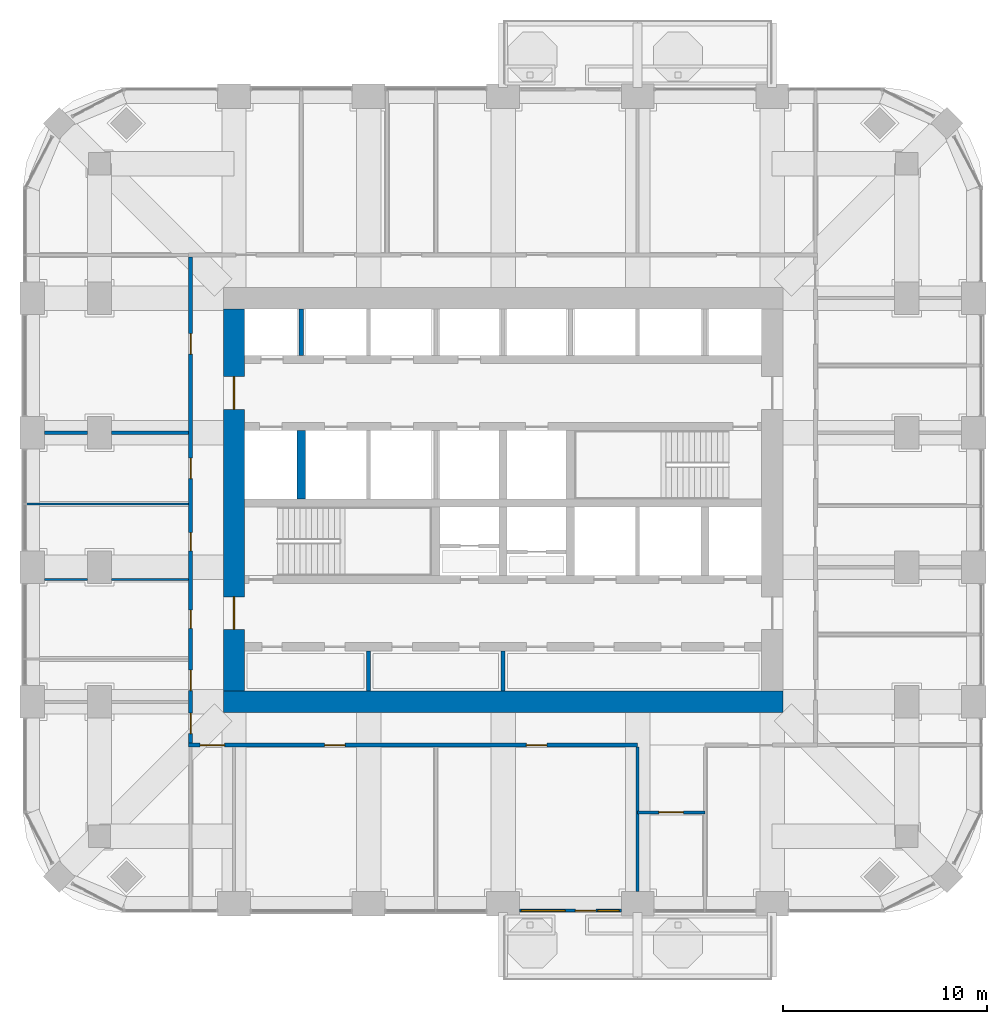
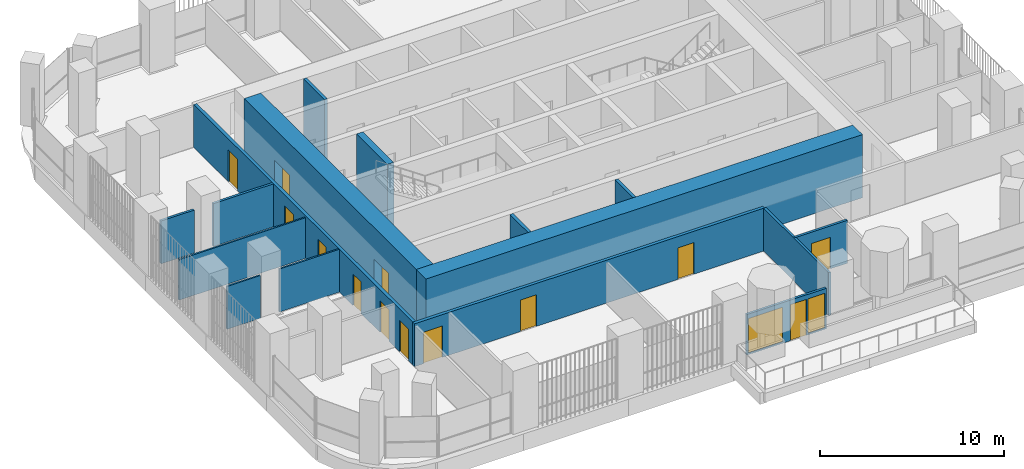
# One storey, part 13 of 20: 16 walls, 13 doors, 2 windows, 15 openings.
"""IFC4 building model written with IfcOpenShell, lengths in metres."""

from ifc_helpers import new_model, si_unit, direction, frame, frame_2d, origin, place, context, subcontext, project, spatial, rectangle, extrude, material, layer, layer_set, type_object, element, fill, save


model = new_model("IFC4")

# Units and contexts
model_context = context("Model", 3, precision=1e-05, world=origin(), true_north=direction((0.0, 1.0)))
body_context = subcontext(model_context, "Body", "Model", "MODEL_VIEW")
ifc_project = project(units=[si_unit("LENGTHUNIT", "METRE"), si_unit("AREAUNIT", "SQUARE_METRE"), si_unit("VOLUMEUNIT", "CUBIC_METRE"), si_unit("PLANEANGLEUNIT", "RADIAN"), si_unit("MASSUNIT", "GRAM", prefix="KILO")], contexts=[model_context])

# Site, building, storey
site_placement = place(None, origin())
site = spatial("IfcSite", under=ifc_project, at=site_placement, CompositionType="ELEMENT")
building_placement = place(site_placement, origin())
building = spatial("IfcBuilding", under=site, at=building_placement, Name="Cobogo Forest Laboratory Tower", CompositionType="ELEMENT")
storey_placement = place(building_placement, frame((0.0, 0.0, 180.89990234375)))
storey = spatial("IfcBuildingStorey", under=building, at=storey_placement, Name="L41", CompositionType="ELEMENT", Elevation=180.89990234375)

# Walls
ifc_material_1 = material(Name="Concrete HA-50 (C50/60)", Category="concrete")
ifc_layer_1 = layer(ifc_material_1, 0.39990234375)
ifc_layer_set_1 = layer_set([ifc_layer_1], Name="CI400 core inner wall 400")
wall_type_1 = type_object("IfcWallType", Name="CI400 core inner wall 400", PredefinedType="SHEAR", material=ifc_layer_set_1)
wall_1_placement = place(storey_placement, frame((16.5, 23.14990234375, 0.0), z_axis=(0.0, 0.0, 1.0), x_axis=(0.0, 1.0, 0.0)))
element("IfcWall", 1, at=wall_1_placement, inside=storey, type_object=wall_type_1, Name="Core wall CX-16.5 L41", PredefinedType="SHEAR", context=body_context, shape_type="SweptSolid", body=[
    extrude(rectangle(XDim=3.35009765625, YDim=0.39990234375, at=frame_2d((1.675048828125, 0.0))), origin(), (0.0, 0.0, 1.0), 4.2001953125),
])
ifc_layer_2 = layer(ifc_material_1, 1.050048828125)
ifc_layer_set_2 = layer_set([ifc_layer_2], Name="CW1050 core outer wall 1050")
wall_type_2 = type_object("IfcWallType", Name="CW1050 core outer wall 1050", PredefinedType="SHEAR", material=ifc_layer_set_2)
wall_2_placement = place(storey_placement, frame((12.675048828125, 13.199951171875, 0.0), z_axis=(0.0, 0.0, 1.0), x_axis=(1.0, 0.0, 0.0)))
element("IfcWall", 2, at=wall_2_placement, inside=storey, type_object=wall_type_2, Name="Core wall CO-S L41", PredefinedType="SHEAR", context=body_context, shape_type="SweptSolid", body=[
    extrude(rectangle(XDim=27.449951171875, YDim=1.050048828125, at=frame_2d((13.72509765625, 0.0))), origin(), (0.0, 0.0, 1.0), 4.2001953125),
])

# Wall, openings, doors
wall_3_placement = place(storey_placement, frame((13.199951171875, 32.47509765625, 0.0), z_axis=(0.0, 0.0, 1.0), x_axis=(0.0, -1.0, 0.0)))
wall_3 = element("IfcWall", 3, at=wall_3_placement, inside=storey, type_object=wall_type_2, Name="Core wall CO-W L41", PredefinedType="SHEAR", context=body_context, shape_type="SweptSolid", body=[
    extrude(rectangle(XDim=18.75, YDim=1.050048828125, at=frame_2d((9.375, 0.0))), origin(), (0.0, 0.0, 1.0), 4.2001953125),
])
opening_1_placement = place(wall_3_placement, frame((14.125, 0.0, 0.0)))
opening_1 = element("IfcOpeningElement", 4, at=opening_1_placement, cuts=wall_3, Name="Opening L41-D19", PredefinedType="OPENING", context=body_context, shape_type="SweptSolid", body=[
    extrude(rectangle(XDim=1.60009765625, YDim=2.10009765625, at=frame_2d((0.800048828125, 1.050048828125))), frame((0.0, 0.534912109375, 0.0), z_axis=(0.0, -1.0, 0.0), x_axis=(1.0, 0.0, 0.0)), (0.0, 0.0, 1.0), 1.070068359375),
])
opening_2_placement = place(wall_3_placement, frame((3.324951171875, 0.0, 0.0)))
opening_2 = element("IfcOpeningElement", 5, at=opening_2_placement, cuts=wall_3, Name="Opening L41-D33", PredefinedType="OPENING", context=body_context, shape_type="SweptSolid", body=[
    extrude(rectangle(XDim=1.60009765625, YDim=2.10009765625, at=frame_2d((0.800048828125, 1.050048828125))), frame((0.0, 0.534912109375, 0.0), z_axis=(0.0, -1.0, 0.0), x_axis=(1.0, 0.0, 0.0)), (0.0, 0.0, 1.0), 1.070068359375),
])
ifc_material_2 = material(Name="Steel fire door", Category="steel")
door_type_1 = type_object("IfcDoorType", Name="DS2 protected lobby door pair 1600 EI2 60", OperationType="DOUBLE_DOOR_DOUBLE_SWING", PredefinedType="DOOR", material=ifc_material_2)
door_1_placement = place(opening_1_placement, origin())
door_1 = element("IfcDoor", 6, at=door_1_placement, inside=storey, type_object=door_type_1, Name="Door L41-CO-W-S", OperationType="DOUBLE_DOOR_DOUBLE_SWING", OverallHeight=2.10009765625, OverallWidth=1.60009765625, PredefinedType="DOOR", context=body_context, shape_type="SweptSolid", body=[
    extrude(rectangle(XDim=1.60009765625, YDim=2.10009765625, at=frame_2d((0.800048828125, 1.050048828125))), frame((0.0, 0.02490234375, 0.0), z_axis=(0.0, -1.0, 0.0), x_axis=(1.0, 0.0, 0.0)), (0.0, 0.0, 1.0), 0.050048828125),
])
fill(opening_1, door_1)
door_2_placement = place(opening_2_placement, origin())
door_2 = element("IfcDoor", 7, at=door_2_placement, inside=storey, type_object=door_type_1, Name="Door L41-CO-W-N", OperationType="DOUBLE_DOOR_DOUBLE_SWING", OverallHeight=2.10009765625, OverallWidth=1.60009765625, PredefinedType="DOOR", context=body_context, shape_type="SweptSolid", body=[
    extrude(rectangle(XDim=1.60009765625, YDim=2.10009765625, at=frame_2d((0.800048828125, 1.050048828125))), frame((0.0, 0.02490234375, 0.0), z_axis=(0.0, -1.0, 0.0), x_axis=(1.0, 0.0, 0.0)), (0.0, 0.0, 1.0), 0.050048828125),
])
fill(opening_2, door_2)

# Wall, openings, door, windows
ifc_material_3 = material(Name="Aluminium framed glazed screen", Category="aluminium")
ifc_layer_3 = layer(ifc_material_3, 0.14990234375)
ifc_layer_set_3 = layer_set([ifc_layer_3], Name="GS1 glazed door screen 150")
wall_type_3 = type_object("IfcWallType", Name="GS1 glazed door screen 150", PredefinedType="SOLIDWALL", material=ifc_layer_set_3)
wall_4_placement = place(storey_placement, frame((27.199951171875, 2.949951171875, 0.0), z_axis=(0.0, 0.0, 1.0), x_axis=(1.0, 0.0, 0.0)))
wall_4 = element("IfcWall", 8, at=wall_4_placement, inside=storey, type_object=wall_type_3, Name="Door screen BAL-S1 L41", PredefinedType="SOLIDWALL", context=body_context, shape_type="SweptSolid", body=[
    extrude(rectangle(XDim=5.0, YDim=0.14990234375, at=frame_2d((2.5, 0.0))), origin(), (0.0, 0.0, 1.0), 2.7001953125),
])
opening_3_placement = place(wall_4_placement, frame((2.75, 0.0, 0.0)))
opening_3 = element("IfcOpeningElement", 9, at=opening_3_placement, cuts=wall_4, Name="Opening L41-D01", PredefinedType="OPENING", context=body_context, shape_type="SweptSolid", body=[
    extrude(rectangle(XDim=1.0, YDim=2.39990234375, at=frame_2d((0.5, 1.199951171875))), frame((0.0, 0.0849609375, 0.0), z_axis=(0.0, -1.0, 0.0), x_axis=(1.0, 0.0, 0.0)), (0.0, 0.0, 1.0), 0.169921875),
])
opening_4_placement = place(wall_4_placement, frame((0.10009765625, 0.0, 0.10009765625)))
opening_4 = element("IfcOpeningElement", 10, at=opening_4_placement, cuts=wall_4, Name="Opening L41-W01", PredefinedType="OPENING", context=body_context, shape_type="SweptSolid", body=[
    extrude(rectangle(XDim=2.14990234375, YDim=2.300048828125, at=frame_2d((1.074951171875, 1.14990234375))), frame((0.0, 0.0849609375, 0.0), z_axis=(0.0, -1.0, 0.0), x_axis=(1.0, 0.0, 0.0)), (0.0, 0.0, 1.0), 0.169921875),
])
opening_5_placement = place(wall_4_placement, frame((3.85009765625, 0.0, 0.10009765625)))
opening_5 = element("IfcOpeningElement", 11, at=opening_5_placement, cuts=wall_4, Name="Opening L41-W02", PredefinedType="OPENING", context=body_context, shape_type="SweptSolid", body=[
    extrude(rectangle(XDim=1.050048828125, YDim=2.300048828125, at=frame_2d((0.52490234375, 1.14990234375))), frame((0.0, 0.0849609375, 0.0), z_axis=(0.0, -1.0, 0.0), x_axis=(1.0, 0.0, 0.0)), (0.0, 0.0, 1.0), 0.169921875),
])
ifc_material_4 = material(Name="Aluminium glazed door", Category="aluminium")
door_type_2 = type_object("IfcDoorType", Name="DB1 balcony door 1000 glazed", OperationType="SINGLE_SWING_LEFT", PredefinedType="DOOR", material=ifc_material_4)
door_3_placement = place(opening_3_placement, origin())
door_3 = element("IfcDoor", 12, at=door_3_placement, inside=storey, type_object=door_type_2, Name="Door L41-BAL-S1", OperationType="SINGLE_SWING_RIGHT", OverallHeight=2.39990234375, OverallWidth=1.0, PredefinedType="DOOR", context=body_context, shape_type="SweptSolid", body=[
    extrude(rectangle(XDim=1.0, YDim=2.39990234375, at=frame_2d((0.5, 1.199951171875))), frame((0.0, 0.02490234375, 0.0), z_axis=(0.0, -1.0, 0.0), x_axis=(1.0, 0.0, 0.0)), (0.0, 0.0, 1.0), 0.050048828125),
])
fill(opening_3, door_3)
ifc_material_5 = material(Name="Aluminium framed glazing", Category="aluminium")
window_type_1 = type_object("IfcWindowType", Name="WG13 fixed glazed light 2150x2300", PartitioningType="SINGLE_PANEL", PredefinedType="WINDOW", material=ifc_material_5)
window_1_placement = place(opening_4_placement, origin())
window_1 = element("IfcWindow", 13, at=window_1_placement, inside=storey, type_object=window_type_1, Name="Window L41-BAL-S1-1", OverallHeight=2.300048828125, OverallWidth=2.14990234375, PartitioningType="SINGLE_PANEL", PredefinedType="WINDOW", context=body_context, shape_type="SweptSolid", body=[
    extrude(rectangle(XDim=2.14990234375, YDim=2.300048828125, at=frame_2d((1.074951171875, 1.14990234375))), frame((0.0, 0.030029296875, 0.0), z_axis=(0.0, -1.0, 0.0), x_axis=(1.0, 0.0, 0.0)), (0.0, 0.0, 1.0), 0.06005859375),
])
fill(opening_4, window_1)
window_type_2 = type_object("IfcWindowType", Name="WG14 fixed glazed light 1050x2300", PartitioningType="SINGLE_PANEL", PredefinedType="WINDOW", material=ifc_material_5)
window_2_placement = place(opening_5_placement, origin())
window_2 = element("IfcWindow", 14, at=window_2_placement, inside=storey, type_object=window_type_2, Name="Window L41-BAL-S1-2", OverallHeight=2.300048828125, OverallWidth=1.050048828125, PartitioningType="SINGLE_PANEL", PredefinedType="WINDOW", context=body_context, shape_type="SweptSolid", body=[
    extrude(rectangle(XDim=1.050048828125, YDim=2.300048828125, at=frame_2d((0.52490234375, 1.14990234375))), frame((0.0, 0.030029296875, 0.0), z_axis=(0.0, -1.0, 0.0), x_axis=(1.0, 0.0, 0.0)), (0.0, 0.0, 1.0), 0.06005859375),
])
fill(opening_5, window_2)

# Wall, opening, door
ifc_material_6 = material(Name="Gypsum board on steel studs", Category="steel")
ifc_layer_4 = layer(ifc_material_6, 0.14990234375)
ifc_layer_set_4 = layer_set([ifc_layer_4], Name="PT1 laboratory partition 150")
wall_type_4 = type_object("IfcWallType", Name="PT1 laboratory partition 150", PredefinedType="PARTITIONING", material=ifc_layer_set_4)
wall_5_placement = place(storey_placement, frame((33.0, 7.77490234375, 0.0), z_axis=(0.0, 0.0, 1.0), x_axis=(1.0, 0.0, 0.0)))
wall_5 = element("IfcWall", 15, at=wall_5_placement, inside=storey, type_object=wall_type_4, Name="Partition NODE-S-1 L41", PredefinedType="PARTITIONING", context=body_context, shape_type="SweptSolid", body=[
    extrude(rectangle(XDim=3.300048828125, YDim=0.14990234375, at=frame_2d((1.64990234375, 0.0))), origin(), (0.0, 0.0, 1.0), 2.85009765625),
])
opening_6_placement = place(wall_5_placement, frame((1.050048828125, 0.0, 0.0)))
opening_6 = element("IfcOpeningElement", 16, at=opening_6_placement, cuts=wall_5, Name="Opening L41-D02", PredefinedType="OPENING", context=body_context, shape_type="SweptSolid", body=[
    extrude(rectangle(XDim=1.199951171875, YDim=2.10009765625, at=frame_2d((0.60009765625, 1.050048828125))), frame((0.0, 0.0849609375, 0.0), z_axis=(0.0, -1.0, 0.0), x_axis=(1.0, 0.0, 0.0)), (0.0, 0.0, 1.0), 0.169921875),
])
ifc_material_7 = material(Name="Timber door", Category="wood")
door_type_3 = type_object("IfcDoorType", Name="D2 laboratory door 1200 unequal pair", OperationType="DOUBLE_DOOR_SINGLE_SWING", PredefinedType="DOOR", material=ifc_material_7)
door_4_placement = place(opening_6_placement, origin())
door_4 = element("IfcDoor", 17, at=door_4_placement, inside=storey, type_object=door_type_3, Name="Door L41-S4", OperationType="DOUBLE_DOOR_SINGLE_SWING", OverallHeight=2.10009765625, OverallWidth=1.199951171875, PredefinedType="DOOR", context=body_context, shape_type="SweptSolid", body=[
    extrude(rectangle(XDim=1.199951171875, YDim=2.10009765625, at=frame_2d((0.60009765625, 1.050048828125))), frame((0.0, 0.02490234375, 0.0), z_axis=(0.0, -1.0, 0.0), x_axis=(1.0, 0.0, 0.0)), (0.0, 0.0, 1.0), 0.050048828125),
])
fill(opening_6, door_4)

# Walls
wall_6_placement = place(storey_placement, frame((33.0, 3.89990234375, 0.0), z_axis=(0.0, 0.0, 1.0), x_axis=(0.0, 1.0, 0.0)))
element("IfcWall", 18, at=wall_6_placement, inside=storey, type_object=wall_type_4, Name="Partition CUT-S33-1 L41", PredefinedType="PARTITIONING", context=body_context, shape_type="SweptSolid", body=[
    extrude(rectangle(XDim=7.0751953125, YDim=0.14990234375, at=frame_2d((3.53759765625, 0.0))), origin(), (0.0, 0.0, 1.0), 2.85009765625),
])
wall_7_placement = place(storey_placement, frame((3.89990234375, 26.39990234375, 0.0), z_axis=(0.0, 0.0, 1.0), x_axis=(1.0, 0.0, 0.0)))
element("IfcWall", 19, at=wall_7_placement, inside=storey, type_object=wall_type_4, Name="Partition CUT-W26.4-1 L41", PredefinedType="PARTITIONING", context=body_context, shape_type="SweptSolid", body=[
    extrude(rectangle(XDim=2.10009765625, YDim=0.14990234375, at=frame_2d((1.050048828125, 0.0))), origin(), (0.0, 0.0, 1.0), 2.85009765625),
])
wall_8_placement = place(storey_placement, frame((7.199951171875, 26.39990234375, 0.0), z_axis=(0.0, 0.0, 1.0), x_axis=(1.0, 0.0, 0.0)))
element("IfcWall", 20, at=wall_8_placement, inside=storey, type_object=wall_type_4, Name="Partition CUT-W26.4-2 L41", PredefinedType="PARTITIONING", context=body_context, shape_type="SweptSolid", body=[
    extrude(rectangle(XDim=3.775146484375, YDim=0.14990234375, at=frame_2d((1.8876953125, 0.0))), origin(), (0.0, 0.0, 1.0), 2.85009765625),
])

# Wall, openings, doors
ifc_layer_5 = layer(ifc_material_6, 0.199951171875)
ifc_layer_set_5 = layer_set([ifc_layer_5], Name="PT2 fire-rated corridor partition 200")
wall_type_5 = type_object("IfcWallType", Name="PT2 fire-rated corridor partition 200", PredefinedType="PARTITIONING", material=ifc_layer_set_5)
wall_9_placement = place(storey_placement, frame((10.97509765625, 11.074951171875, 0.0), z_axis=(0.0, 0.0, 1.0), x_axis=(1.0, 0.0, 0.0)))
wall_9 = element("IfcWall", 21, at=wall_9_placement, inside=storey, type_object=wall_type_5, Name="Partition CORR-S-1 L41", PredefinedType="PARTITIONING", context=body_context, shape_type="SweptSolid", body=[
    extrude(rectangle(XDim=22.02490234375, YDim=0.199951171875, at=frame_2d((11.012451171875, 0.0))), origin(), (0.0, 0.0, 1.0), 2.85009765625),
])
opening_7_placement = place(wall_9_placement, frame((0.5625, 0.0, 0.0)))
opening_7 = element("IfcOpeningElement", 22, at=opening_7_placement, cuts=wall_9, Name="Opening L41-D03", PredefinedType="OPENING", context=body_context, shape_type="SweptSolid", body=[
    extrude(rectangle(XDim=1.199951171875, YDim=2.10009765625, at=frame_2d((0.60009765625, 1.050048828125))), frame((0.0, 0.10986328125, 0.0), z_axis=(0.0, -1.0, 0.0), x_axis=(1.0, 0.0, 0.0)), (0.0, 0.0, 1.0), 0.219970703125),
])
opening_8_placement = place(wall_9_placement, frame((6.675048828125, 0.0, 0.0)))
opening_8 = element("IfcOpeningElement", 23, at=opening_8_placement, cuts=wall_9, Name="Opening L41-D04", PredefinedType="OPENING", context=body_context, shape_type="SweptSolid", body=[
    extrude(rectangle(XDim=1.0, YDim=2.10009765625, at=frame_2d((0.5, 1.050048828125))), frame((0.0, 0.10986328125, 0.0), z_axis=(0.0, -1.0, 0.0), x_axis=(1.0, 0.0, 0.0)), (0.0, 0.0, 1.0), 0.219970703125),
])
opening_9_placement = place(wall_9_placement, frame((16.574951171875, 0.0, 0.0)))
opening_9 = element("IfcOpeningElement", 24, at=opening_9_placement, cuts=wall_9, Name="Opening L41-D05", PredefinedType="OPENING", context=body_context, shape_type="SweptSolid", body=[
    extrude(rectangle(XDim=1.0, YDim=2.10009765625, at=frame_2d((0.5, 1.050048828125))), frame((0.0, 0.10986328125, 0.0), z_axis=(0.0, -1.0, 0.0), x_axis=(1.0, 0.0, 0.0)), (0.0, 0.0, 1.0), 0.219970703125),
])
door_5_placement = place(opening_7_placement, origin())
door_5 = element("IfcDoor", 25, at=door_5_placement, inside=storey, type_object=door_type_3, Name="Door L41-S1", OperationType="DOUBLE_DOOR_SINGLE_SWING", OverallHeight=2.10009765625, OverallWidth=1.199951171875, PredefinedType="DOOR", context=body_context, shape_type="SweptSolid", body=[
    extrude(rectangle(XDim=1.199951171875, YDim=2.10009765625, at=frame_2d((0.60009765625, 1.050048828125))), frame((0.0, 0.02490234375, 0.0), z_axis=(0.0, -1.0, 0.0), x_axis=(1.0, 0.0, 0.0)), (0.0, 0.0, 1.0), 0.050048828125),
])
fill(opening_7, door_5)
ifc_material_8 = material(Name="Timber fire door", Category="wood")
door_type_4 = type_object("IfcDoorType", Name="FD2 fire door 1000 EI2 30", OperationType="SINGLE_SWING_LEFT", PredefinedType="DOOR", material=ifc_material_8)
door_6_placement = place(opening_8_placement, origin())
door_6 = element("IfcDoor", 26, at=door_6_placement, inside=storey, type_object=door_type_4, Name="Door L41-S2", OperationType="SINGLE_SWING_LEFT", OverallHeight=2.10009765625, OverallWidth=1.0, PredefinedType="DOOR", context=body_context, shape_type="SweptSolid", body=[
    extrude(rectangle(XDim=1.0, YDim=2.10009765625, at=frame_2d((0.5, 1.050048828125))), frame((0.0, 0.02490234375, 0.0), z_axis=(0.0, -1.0, 0.0), x_axis=(1.0, 0.0, 0.0)), (0.0, 0.0, 1.0), 0.050048828125),
])
fill(opening_8, door_6)
door_7_placement = place(opening_9_placement, origin())
door_7 = element("IfcDoor", 27, at=door_7_placement, inside=storey, type_object=door_type_4, Name="Door L41-S3", OperationType="SINGLE_SWING_RIGHT", OverallHeight=2.10009765625, OverallWidth=1.0, PredefinedType="DOOR", context=body_context, shape_type="SweptSolid", body=[
    extrude(rectangle(XDim=1.0, YDim=2.10009765625, at=frame_2d((0.5, 1.050048828125))), frame((0.0, 0.02490234375, 0.0), z_axis=(0.0, -1.0, 0.0), x_axis=(1.0, 0.0, 0.0)), (0.0, 0.0, 1.0), 0.050048828125),
])
fill(opening_9, door_7)

wall_10_placement = place(storey_placement, frame((11.074951171875, 11.175048828125, 0.0), z_axis=(0.0, 0.0, 1.0), x_axis=(0.0, 1.0, 0.0)))
wall_10 = element("IfcWall", 28, at=wall_10_placement, inside=storey, type_object=wall_type_5, Name="Partition CORR-W L41", PredefinedType="PARTITIONING", context=body_context, shape_type="SweptSolid", body=[
    extrude(rectangle(XDim=23.849853515625, YDim=0.199951171875, at=frame_2d((11.9248046875, 0.0))), origin(), (0.0, 0.0, 1.0), 2.85009765625),
])
opening_10_placement = place(wall_10_placement, frame((0.46240234375, 0.0, 0.0)))
opening_10 = element("IfcOpeningElement", 29, at=opening_10_placement, cuts=wall_10, Name="Opening L41-D07", PredefinedType="OPENING", context=body_context, shape_type="SweptSolid", body=[
    extrude(rectangle(XDim=1.0, YDim=2.10009765625, at=frame_2d((0.5, 1.050048828125))), frame((0.0, 0.10986328125, 0.0), z_axis=(0.0, -1.0, 0.0), x_axis=(1.0, 0.0, 0.0)), (0.0, 0.0, 1.0), 0.219970703125),
])
opening_11_placement = place(wall_10_placement, frame((2.574951171875, 0.0, 0.0)))
opening_11 = element("IfcOpeningElement", 30, at=opening_11_placement, cuts=wall_10, Name="Opening L41-D09", PredefinedType="OPENING", context=body_context, shape_type="SweptSolid", body=[
    extrude(rectangle(XDim=1.0, YDim=2.10009765625, at=frame_2d((0.5, 1.050048828125))), frame((0.0, 0.10986328125, 0.0), z_axis=(0.0, -1.0, 0.0), x_axis=(1.0, 0.0, 0.0)), (0.0, 0.0, 1.0), 0.219970703125),
])
opening_12_placement = place(wall_10_placement, frame((5.625, 0.0, 0.0)))
opening_12 = element("IfcOpeningElement", 31, at=opening_12_placement, cuts=wall_10, Name="Opening L41-D18", PredefinedType="OPENING", context=body_context, shape_type="SweptSolid", body=[
    extrude(rectangle(XDim=0.89990234375, YDim=2.10009765625, at=frame_2d((0.449951171875, 1.050048828125))), frame((0.0, 0.10986328125, 0.0), z_axis=(0.0, -1.0, 0.0), x_axis=(1.0, 0.0, 0.0)), (0.0, 0.0, 1.0), 0.219970703125),
])
opening_13_placement = place(wall_10_placement, frame((9.425048828125, 0.0, 0.0)))
opening_13 = element("IfcOpeningElement", 32, at=opening_13_placement, cuts=wall_10, Name="Opening L41-D27", PredefinedType="OPENING", context=body_context, shape_type="SweptSolid", body=[
    extrude(rectangle(XDim=0.89990234375, YDim=2.10009765625, at=frame_2d((0.449951171875, 1.050048828125))), frame((0.0, 0.10986328125, 0.0), z_axis=(0.0, -1.0, 0.0), x_axis=(1.0, 0.0, 0.0)), (0.0, 0.0, 1.0), 0.219970703125),
])
opening_14_placement = place(wall_10_placement, frame((12.97509765625, 0.0, 0.0)))
opening_14 = element("IfcOpeningElement", 33, at=opening_14_placement, cuts=wall_10, Name="Opening L41-D30", PredefinedType="OPENING", context=body_context, shape_type="SweptSolid", body=[
    extrude(rectangle(XDim=1.0, YDim=2.10009765625, at=frame_2d((0.5, 1.050048828125))), frame((0.0, 0.10986328125, 0.0), z_axis=(0.0, -1.0, 0.0), x_axis=(1.0, 0.0, 0.0)), (0.0, 0.0, 1.0), 0.219970703125),
])
opening_15_placement = place(wall_10_placement, frame((19.08740234375, 0.0, 0.0)))
opening_15 = element("IfcOpeningElement", 34, at=opening_15_placement, cuts=wall_10, Name="Opening L41-D35", PredefinedType="OPENING", context=body_context, shape_type="SweptSolid", body=[
    extrude(rectangle(XDim=1.0, YDim=2.10009765625, at=frame_2d((0.5, 1.050048828125))), frame((0.0, 0.10986328125, 0.0), z_axis=(0.0, -1.0, 0.0), x_axis=(1.0, 0.0, 0.0)), (0.0, 0.0, 1.0), 0.219970703125),
])
door_8_placement = place(opening_10_placement, origin())
door_8 = element("IfcDoor", 35, at=door_8_placement, inside=storey, type_object=door_type_4, Name="Door L41-W1", OperationType="SINGLE_SWING_LEFT", OverallHeight=2.10009765625, OverallWidth=1.0, PredefinedType="DOOR", context=body_context, shape_type="SweptSolid", body=[
    extrude(rectangle(XDim=1.0, YDim=2.10009765625, at=frame_2d((0.5, 1.050048828125))), frame((0.0, 0.02490234375, 0.0), z_axis=(0.0, -1.0, 0.0), x_axis=(1.0, 0.0, 0.0)), (0.0, 0.0, 1.0), 0.050048828125),
])
fill(opening_10, door_8)
door_9_placement = place(opening_14_placement, origin())
door_9 = element("IfcDoor", 36, at=door_9_placement, inside=storey, type_object=door_type_4, Name="Door L41-SHW", OperationType="SINGLE_SWING_RIGHT", OverallHeight=2.10009765625, OverallWidth=1.0, PredefinedType="DOOR", context=body_context, shape_type="SweptSolid", body=[
    extrude(rectangle(XDim=1.0, YDim=2.10009765625, at=frame_2d((0.5, 1.050048828125))), frame((0.0, 0.02490234375, 0.0), z_axis=(0.0, -1.0, 0.0), x_axis=(1.0, 0.0, 0.0)), (0.0, 0.0, 1.0), 0.050048828125),
])
fill(opening_14, door_9)
door_10_placement = place(opening_15_placement, origin())
door_10 = element("IfcDoor", 37, at=door_10_placement, inside=storey, type_object=door_type_4, Name="Door L41-W3", OperationType="SINGLE_SWING_RIGHT", OverallHeight=2.10009765625, OverallWidth=1.0, PredefinedType="DOOR", context=body_context, shape_type="SweptSolid", body=[
    extrude(rectangle(XDim=1.0, YDim=2.10009765625, at=frame_2d((0.5, 1.050048828125))), frame((0.0, 0.02490234375, 0.0), z_axis=(0.0, -1.0, 0.0), x_axis=(1.0, 0.0, 0.0)), (0.0, 0.0, 1.0), 0.050048828125),
])
fill(opening_15, door_10)
door_type_5 = type_object("IfcDoorType", Name="FD3 toilet fire door 900 EI2 30", OperationType="SINGLE_SWING_LEFT", PredefinedType="DOOR", material=ifc_material_8)
door_11_placement = place(opening_12_placement, origin())
door_11 = element("IfcDoor", 38, at=door_11_placement, inside=storey, type_object=door_type_5, Name="Door L41-WCF", OperationType="SINGLE_SWING_LEFT", OverallHeight=2.10009765625, OverallWidth=0.89990234375, PredefinedType="DOOR", context=body_context, shape_type="SweptSolid", body=[
    extrude(rectangle(XDim=0.89990234375, YDim=2.10009765625, at=frame_2d((0.449951171875, 1.050048828125))), frame((0.0, 0.02490234375, 0.0), z_axis=(0.0, -1.0, 0.0), x_axis=(1.0, 0.0, 0.0)), (0.0, 0.0, 1.0), 0.050048828125),
])
fill(opening_12, door_11)
door_12_placement = place(opening_13_placement, origin())
door_12 = element("IfcDoor", 39, at=door_12_placement, inside=storey, type_object=door_type_5, Name="Door L41-WCM", OperationType="SINGLE_SWING_LEFT", OverallHeight=2.10009765625, OverallWidth=0.89990234375, PredefinedType="DOOR", context=body_context, shape_type="SweptSolid", body=[
    extrude(rectangle(XDim=0.89990234375, YDim=2.10009765625, at=frame_2d((0.449951171875, 1.050048828125))), frame((0.0, 0.02490234375, 0.0), z_axis=(0.0, -1.0, 0.0), x_axis=(1.0, 0.0, 0.0)), (0.0, 0.0, 1.0), 0.050048828125),
])
fill(opening_13, door_12)
door_type_6 = type_object("IfcDoorType", Name="FDA1 accessible toilet fire door 1000 EI2 30", OperationType="SINGLE_SWING_RIGHT", PredefinedType="DOOR", material=ifc_material_8)
door_13_placement = place(opening_11_placement, origin())
door_13 = element("IfcDoor", 40, at=door_13_placement, inside=storey, type_object=door_type_6, Name="Door L41-WCA", OperationType="SINGLE_SWING_LEFT", OverallHeight=2.10009765625, OverallWidth=1.0, PredefinedType="DOOR", context=body_context, shape_type="SweptSolid", body=[
    extrude(rectangle(XDim=1.0, YDim=2.10009765625, at=frame_2d((0.5, 1.050048828125))), frame((0.0, 0.02490234375, 0.0), z_axis=(0.0, -1.0, 0.0), x_axis=(1.0, 0.0, 0.0)), (0.0, 0.0, 1.0), 0.050048828125),
])
fill(opening_11, door_13)

# Walls
ifc_layer_6 = layer(ifc_material_6, 0.10009765625)
ifc_layer_set_6 = layer_set([ifc_layer_6], Name="PT3 toilet partition 100")
wall_type_6 = type_object("IfcWallType", Name="PT3 toilet partition 100", PredefinedType="PARTITIONING", material=ifc_layer_set_6)
wall_11_placement = place(storey_placement, frame((3.89990234375, 19.199951171875, 0.0), z_axis=(0.0, 0.0, 1.0), x_axis=(1.0, 0.0, 0.0)))
element("IfcWall", 41, at=wall_11_placement, inside=storey, type_object=wall_type_6, Name="Partition SVC-W2-1 L41", PredefinedType="PARTITIONING", context=body_context, shape_type="SweptSolid", body=[
    extrude(rectangle(XDim=2.10009765625, YDim=0.10009765625, at=frame_2d((1.050048828125, 0.0))), origin(), (0.0, 0.0, 1.0), 2.85009765625),
])
wall_12_placement = place(storey_placement, frame((7.199951171875, 19.199951171875, 0.0), z_axis=(0.0, 0.0, 1.0), x_axis=(1.0, 0.0, 0.0)))
element("IfcWall", 42, at=wall_12_placement, inside=storey, type_object=wall_type_6, Name="Partition SVC-W2-2 L41", PredefinedType="PARTITIONING", context=body_context, shape_type="SweptSolid", body=[
    extrude(rectangle(XDim=3.775146484375, YDim=0.10009765625, at=frame_2d((1.8876953125, 0.0))), origin(), (0.0, 0.0, 1.0), 2.85009765625),
])
wall_13_placement = place(storey_placement, frame((3.030029296875, 22.89990234375, 0.0), z_axis=(0.0, 0.0, 1.0), x_axis=(1.0, 0.0, 0.0)))
element("IfcWall", 43, at=wall_13_placement, inside=storey, type_object=wall_type_6, Name="Partition SVC-W3-1 L41", PredefinedType="PARTITIONING", context=body_context, shape_type="SweptSolid", body=[
    extrude(rectangle(XDim=7.945068359375, YDim=0.10009765625, at=frame_2d((3.97265625, 0.0))), origin(), (0.0, 0.0, 1.0), 2.7001953125),
])
ifc_material_9 = material(Name="Concrete block", Category="concrete")
ifc_layer_7 = layer(ifc_material_9, 0.199951171875)
ifc_layer_set_7 = layer_set([ifc_layer_7], Name="SW200 lift shaft separator 200")
wall_type_7 = type_object("IfcWallType", Name="SW200 lift shaft separator 200", PredefinedType="PARTITIONING", material=ifc_layer_set_7)
wall_14_placement = place(storey_placement, frame((16.5, 30.199951171875, 0.0), z_axis=(0.0, 0.0, 1.0), x_axis=(0.0, 1.0, 0.0)))
element("IfcWall", 44, at=wall_14_placement, inside=storey, type_object=wall_type_7, Name="Core wall SEP-N1 L41", PredefinedType="PARTITIONING", context=body_context, shape_type="SweptSolid", body=[
    extrude(rectangle(XDim=2.275146484375, YDim=0.199951171875, at=frame_2d((1.1376953125, 0.0))), origin(), (0.0, 0.0, 1.0), 4.2001953125),
])
for number, where, z_axis, x_axis, name in (
    (45, (19.800048828125, 13.72509765625, 0.0), (0.0, 0.0, 1.0), (0.0, 1.0, 0.0), "Core wall SEP-S2 L41"),
    (46, (26.39990234375, 13.72509765625, 0.0), (0.0, 0.0, 1.0), (0.0, 1.0, 0.0), "Core wall SEP-S4 L41"),
):
    element("IfcWall", number, at=place(storey_placement, frame(where, z_axis=z_axis, x_axis=x_axis)), inside=storey, type_object=wall_type_7, Name=name, PredefinedType="PARTITIONING", context=body_context, shape_type="SweptSolid", body=[
        extrude(rectangle(XDim=1.974853515625, YDim=0.199951171875, at=frame_2d((0.9873046875, 0.0))), origin(), (0.0, 0.0, 1.0), 4.2001953125),
    ])

save(model, "model.ifc")
